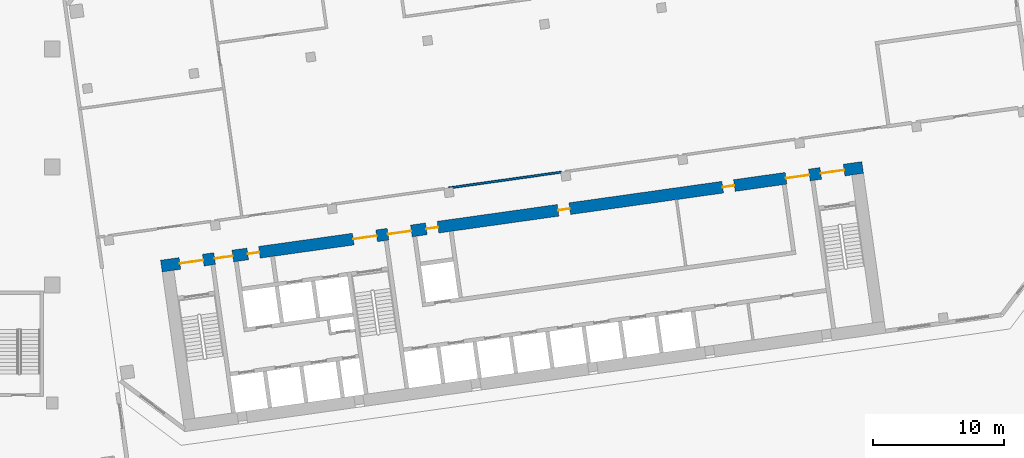
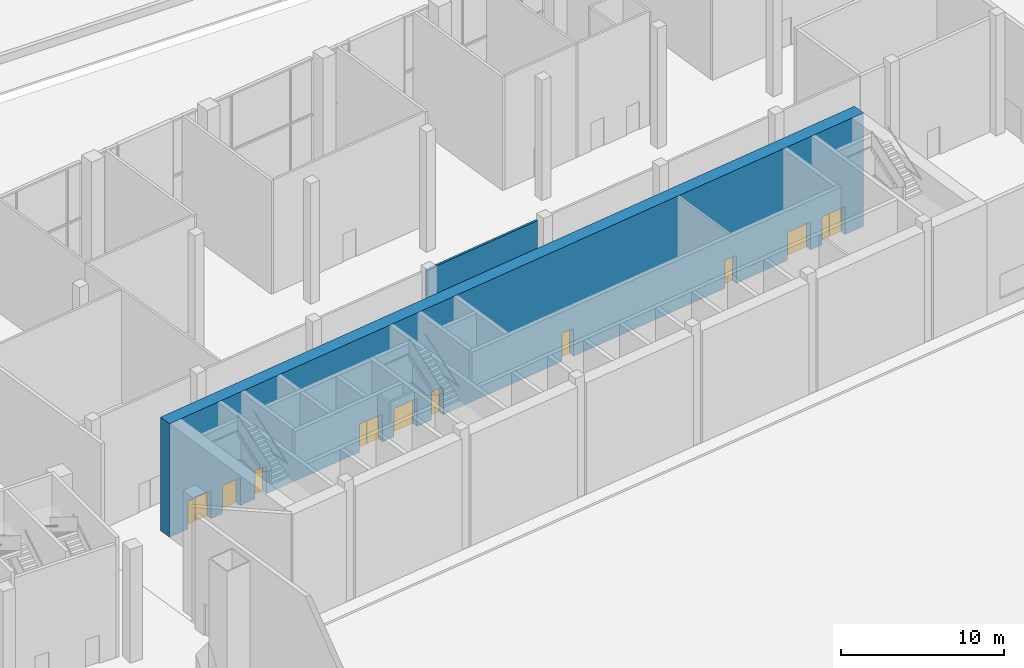
# One storey, part 25 of 34: 10 doors, 2 walls, 10 openings.
"""IFC4 building model written with IfcOpenShell, lengths in metres."""

import ifcopenshell
import ifcopenshell.guid

model = None  # the IFC model being written
_history = None  # IfcOwnerHistory: only IFC2X3 demands one
_inside = {}  # id of a spatial element -> (the spatial element, [elements in it])
_under = {}  # id of a project, library or spatial element -> (it, [spatial elements below it])
_declared = {}  # id of a project -> (the project, [libraries it declares])
_typed = {}  # id of a type object -> (the type object, [elements of that type])
_made_of = {}  # id of a material, layer set ... -> (it, [elements and type objects made of it])


def new_model(schema):
    """Start an empty IFC model of exactly this schema.

    Asked for "IFC4X3", IfcOpenShell would pick the latest addendum, in which some entities
    have other attributes; the version numbers below select the first issue.
    IFC2X3 requires an IfcOwnerHistory on every rooted entity: one is made here for all.
    """
    global model, _history
    if schema == "IFC4X3":
        model = ifcopenshell.file(schema_version=(4, 3, 0, 0))
    else:
        model = ifcopenshell.file(schema=schema)
    _inside.clear()
    _under.clear()
    _declared.clear()
    _typed.clear()
    _made_of.clear()
    _history = None
    if model.schema == "IFC2X3":
        org = make("IfcOrganization", Name="unknown")
        user = make(
            "IfcPersonAndOrganization",
            ThePerson=make("IfcPerson", FamilyName="unknown"),
            TheOrganization=org,
        )
        app = make(
            "IfcApplication",
            ApplicationDeveloper=org,
            Version="unknown",
            ApplicationFullName="unknown",
            ApplicationIdentifier="unknown",
        )
        _history = make(
            "IfcOwnerHistory",
            OwningUser=user,
            OwningApplication=app,
            ChangeAction="ADDED",
            CreationDate=0,
        )
    return model


def make(cls, **values):
    """One entity of the class cls with the attributes given. An attribute that is None is left unset."""
    return model.create_entity(
        cls, **{name: value for name, value in values.items() if value is not None}
    )


def rooted(cls, **values):
    """An entity with a GlobalId (a new one), such as an element, a storey or a relation."""
    return make(cls, GlobalId=ifcopenshell.guid.new(), OwnerHistory=_history, **values)


def si_unit(unit_type, name, prefix=None):
    """IfcSIUnit, for example si_unit("LENGTHUNIT", "METRE", prefix="MILLI")."""
    return make("IfcSIUnit", UnitType=unit_type, Prefix=prefix, Name=name)


def assignment(units):
    """IfcUnitAssignment: the units of a project."""
    return None if units is None else make("IfcUnitAssignment", Units=units)


def point(xyz):
    """IfcCartesianPoint."""
    return None if xyz is None else make("IfcCartesianPoint", Coordinates=xyz)


def direction(xyz):
    """IfcDirection."""
    return None if xyz is None else make("IfcDirection", DirectionRatios=xyz)


def frame(location, z_axis=None, x_axis=None):
    """IfcAxis2Placement3D, a coordinate frame: its origin and axes. An axis left out is left unset."""
    return make(
        "IfcAxis2Placement3D",
        Location=point(location),
        Axis=direction(z_axis),
        RefDirection=direction(x_axis),
    )


def frame_2d(location, x_axis=None):
    """IfcAxis2Placement2D, a coordinate frame in the plane: its origin and x axis."""
    return make(
        "IfcAxis2Placement2D", Location=point(location), RefDirection=direction(x_axis)
    )


def origin():
    """The frame at (0, 0, 0) with its axes left unset."""
    return frame((0.0, 0.0, 0.0))


def place(relative_to, where):
    """IfcLocalPlacement: puts the frame where relative to a parent placement (None: the world)."""
    return make(
        "IfcLocalPlacement", PlacementRelTo=relative_to, RelativePlacement=where
    )


def context(
    kind, dimensions, precision=None, world=None, true_north=None, identifier=None
):
    """IfcGeometricRepresentationContext, for example the 3D "Model" context."""
    return make(
        "IfcGeometricRepresentationContext",
        ContextIdentifier=identifier,
        ContextType=kind,
        CoordinateSpaceDimension=dimensions,
        Precision=precision,
        WorldCoordinateSystem=world,
        TrueNorth=true_north,
    )


def subcontext(parent, identifier, kind, view, scale=None):
    """IfcGeometricRepresentationSubContext, for example "Body" below "Model"."""
    return make(
        "IfcGeometricRepresentationSubContext",
        ContextIdentifier=identifier,
        ContextType=kind,
        ParentContext=parent,
        TargetScale=scale,
        TargetView=view,
    )


def project(units=None, contexts=None):
    """IfcProject with its units and contexts."""
    return rooted(
        "IfcProject",
        Name="project",
        RepresentationContexts=contexts,
        UnitsInContext=assignment(units),
    )


def spatial(cls, under=None, at=None, **own):
    """A site, building, storey or space (cls), placed at a placement, below another one or the project."""
    s = rooted(cls, ObjectPlacement=at, **own)
    if under is not None:
        _under.setdefault(under.id(), (under, []))[1].append(s)
    return s


def profile(cls, at=None, kind="AREA", **sizes):
    """A parametric profile (cls). Its sizes go by their IFC names, for example OverallWidth=200.0."""
    return make(cls, ProfileType=kind, Position=at, **sizes)


def rectangle(**sizes):
    """IfcRectangleProfileDef."""
    return profile("IfcRectangleProfileDef", **sizes)


def extrude(swept, where, along, depth):
    """IfcExtrudedAreaSolid: the profile swept, set in the frame where, extruded along a direction by depth."""
    return make(
        "IfcExtrudedAreaSolid",
        SweptArea=swept,
        Position=where,
        ExtrudedDirection=direction(along),
        Depth=depth,
    )


def shape(context_of_items, identifier, shape_type, items):
    """IfcShapeRepresentation: the items that make up one representation, for example the "Body"."""
    return make(
        "IfcShapeRepresentation",
        ContextOfItems=context_of_items,
        RepresentationIdentifier=identifier,
        RepresentationType=shape_type,
        Items=items,
    )


def material(Name=None, Category=None):
    """IfcMaterial."""
    return make("IfcMaterial", Name=Name, Category=Category)


def layer(
    of_material, thickness, ventilated=None, Name=None, Category=None, Priority=None
):
    """IfcMaterialLayer: one layer of a wall or slab, of a material (None: an air gap)."""
    return make(
        "IfcMaterialLayer",
        Material=of_material,
        LayerThickness=thickness,
        IsVentilated=ventilated,
        Name=Name,
        Category=Category,
        Priority=Priority,
    )


def layer_set(layers, Name=None):
    """IfcMaterialLayerSet."""
    return make("IfcMaterialLayerSet", MaterialLayers=layers, LayerSetName=Name)


def made_of(thing, what):
    """Note that an element or type object is made of a material, layer set ...; save() writes the relation."""
    if what is not None:
        _made_of.setdefault(what.id(), (what, []))[1].append(thing)
    return thing


def type_object(cls, material=None, **own):
    """A type object (cls), such as IfcWallType, which elements share."""
    return made_of(rooted(cls, **own), material)


def element(
    cls,
    number,
    at=None,
    inside=None,
    cuts=None,
    type_object=None,
    material=None,
    context=None,
    identifier="Body",
    shape_type=None,
    held_by="IfcProductDefinitionShape",
    body=None,
    shapes=None,
    **own,
):
    """One element of the class cls, such as IfcWall. Its Tag is "e" and its number.

    at: its placement. inside: the storey or other place that contains it. cuts: it is an
    opening in that element (IfcRelVoidsElement). A single representation is given by context,
    identifier, shape_type and body (its items); several are given by shapes. held_by: the class
    of the entity that holds the representations. save() writes the other relations.
    """
    e = rooted(cls, Tag="e%d" % number, ObjectPlacement=at, **own)
    if body is not None:
        shapes = [shape(context, identifier, shape_type, body)]
    if shapes is not None:
        e.Representation = make(held_by, Representations=shapes)
    if inside is not None:
        _inside.setdefault(inside.id(), (inside, []))[1].append(e)
    if cuts is not None:
        rooted(
            "IfcRelVoidsElement", RelatingBuildingElement=cuts, RelatedOpeningElement=e
        )
    if type_object is not None:
        _typed.setdefault(type_object.id(), (type_object, []))[1].append(e)
    return made_of(e, material)


def fill(opening, filler):
    """IfcRelFillsElement: the door or window that sits in an opening."""
    return rooted(
        "IfcRelFillsElement",
        RelatingOpeningElement=opening,
        RelatedBuildingElement=filler,
    )


def aggregate(whole, parts):
    """IfcRelAggregates: a whole, such as a stair, and the parts it consists of."""
    return rooted("IfcRelAggregates", RelatingObject=whole, RelatedObjects=parts)


def save(model, path):
    """Write the relations noted so far, then the file.

    IfcRelAggregates (storeys below a building ...), IfcRelContainedInSpatialStructure (elements
    in a storey), IfcRelDefinesByType, IfcRelAssociatesMaterial and IfcRelDeclares: one each for
    every whole, place, type object, material and project.
    """
    for whole, parts in _under.values():
        aggregate(whole, parts)
    for where, things in _inside.values():
        rooted(
            "IfcRelContainedInSpatialStructure",
            RelatedElements=things,
            RelatingStructure=where,
        )
    for kind, things in _typed.values():
        rooted("IfcRelDefinesByType", RelatedObjects=things, RelatingType=kind)
    for what, things in _made_of.values():
        rooted("IfcRelAssociatesMaterial", RelatedObjects=things, RelatingMaterial=what)
    for by, libraries in _declared.values():
        rooted("IfcRelDeclares", RelatingContext=by, RelatedDefinitions=libraries)
    model.write(path)


model = new_model("IFC4")

# Units and contexts
model_context = context("Model", 3, precision=1e-05, world=origin(), true_north=direction((0.0, 1.0)))
body_context = subcontext(model_context, "Body", "Model", "MODEL_VIEW")
ifc_project = project(units=[si_unit("LENGTHUNIT", "METRE"), si_unit("AREAUNIT", "SQUARE_METRE"), si_unit("VOLUMEUNIT", "CUBIC_METRE"), si_unit("PLANEANGLEUNIT", "RADIAN"), si_unit("MASSUNIT", "GRAM", prefix="KILO")], contexts=[model_context])

# Site, building, storey
site_placement = place(None, origin())
site = spatial("IfcSite", under=ifc_project, at=site_placement, CompositionType="ELEMENT")
building_placement = place(site_placement, origin())
building = spatial("IfcBuilding", under=site, at=building_placement, Name="Mirante Cascada Hotel Towers", CompositionType="ELEMENT")
storey_placement = place(building_placement, origin())
storey = spatial("IfcBuildingStorey", under=building, at=storey_placement, Name="L00", CompositionType="ELEMENT", Elevation=0.0)

# Wall
ifc_material_1 = material(Name="Masonry block", Category="masonry")
ifc_layer_1 = layer(ifc_material_1, 0.15)
ifc_layer_set_1 = layer_set([ifc_layer_1], Name="Exit passage wall 150 block EI 120")
wall_type_1 = type_object("IfcWallType", Name="Exit passage wall 150 block EI 120", PredefinedType="PARTITIONING", material=ifc_layer_set_1)
wall_1_placement = place(storey_placement, frame((57.2347, -1.6058, 0.0), z_axis=(0.0, 0.0, 1.0), x_axis=(0.9902682, 0.139172, 0.0)))
element("IfcWall", 1, at=wall_1_placement, inside=storey, type_object=wall_type_1, Name="Exit passage wall T2 L00", PredefinedType="PARTITIONING", context=body_context, shape_type="SweptSolid", body=[
    extrude(rectangle(XDim=8.6713, YDim=0.15, at=frame_2d((4.3356, 0.0))), origin(), (0.0, 0.0, 1.0), 8.5),
])

# Wall, openings, doors
ifc_material_2 = material(Name="Concrete C50/60", Category="concrete")
ifc_layer_2 = layer(ifc_material_2, 0.9)
ifc_layer_set_2 = layer_set([ifc_layer_2], Name="RC core wall 900 C50/60")
wall_type_2 = type_object("IfcWallType", Name="RC core wall 900 C50/60", PredefinedType="SHEAR", material=ifc_layer_set_2)
wall_2_placement = place(storey_placement, frame((35.326, -7.5629, 0.0), z_axis=(0.0, 0.0, 1.0), x_axis=(0.9902679, 0.139174, 0.0)))
wall_2 = element("IfcWall", 2, at=wall_2_placement, inside=storey, type_object=wall_type_2, Name="Core wall T2:L00:2", PredefinedType="SHEAR", context=body_context, shape_type="SweptSolid", body=[
    extrude(rectangle(XDim=54.0, YDim=0.9, at=frame_2d((27.0, 0.0))), origin(), (0.0, 0.0, 1.0), 8.5),
])
opening_1_placement = place(wall_2_placement, frame((1.425, 0.0, 0.0)))
opening_1 = element("IfcOpeningElement", 3, at=opening_1_placement, cuts=wall_2, Name="Opening D2-00-C17", PredefinedType="OPENING", context=body_context, shape_type="SweptSolid", body=[
    extrude(rectangle(XDim=1.8, YDim=2.1, at=frame_2d((0.9, 1.05))), frame((0.0, 0.45, 0.0), z_axis=(0.0, -1.0, 0.0), x_axis=(1.0, 0.0, 0.0)), (0.0, 0.0, 1.0), 0.9),
])
opening_2_placement = place(wall_2_placement, frame((14.775, 0.0, 0.0)))
opening_2 = element("IfcOpeningElement", 4, at=opening_2_placement, cuts=wall_2, Name="Opening D2-00-C19", PredefinedType="OPENING", context=body_context, shape_type="SweptSolid", body=[
    extrude(rectangle(XDim=1.8, YDim=2.1, at=frame_2d((0.9, 1.05))), frame((0.0, 0.45, 0.0), z_axis=(0.0, -1.0, 0.0), x_axis=(1.0, 0.0, 0.0)), (0.0, 0.0, 1.0), 0.9),
])
opening_3_placement = place(wall_2_placement, frame((50.775, 0.0, 0.0)))
opening_3 = element("IfcOpeningElement", 5, at=opening_3_placement, cuts=wall_2, Name="Opening D2-00-C21", PredefinedType="OPENING", context=body_context, shape_type="SweptSolid", body=[
    extrude(rectangle(XDim=1.8, YDim=2.1, at=frame_2d((0.9, 1.05))), frame((0.0, 0.45, 0.0), z_axis=(0.0, -1.0, 0.0), x_axis=(1.0, 0.0, 0.0)), (0.0, 0.0, 1.0), 0.9),
])
opening_4_placement = place(wall_2_placement, frame((4.1, 0.0, 0.0)))
opening_4 = element("IfcOpeningElement", 6, at=opening_4_placement, cuts=wall_2, Name="Opening D2-00-C22", PredefinedType="OPENING", context=body_context, shape_type="SweptSolid", body=[
    extrude(rectangle(XDim=1.4, YDim=2.1, at=frame_2d((0.7, 1.05))), frame((0.0, 0.45, 0.0), z_axis=(0.0, -1.0, 0.0), x_axis=(1.0, 0.0, 0.0)), (0.0, 0.0, 1.0), 0.9),
])
opening_5_placement = place(wall_2_placement, frame((17.45, 0.0, 0.0)))
opening_5 = element("IfcOpeningElement", 7, at=opening_5_placement, cuts=wall_2, Name="Opening D2-00-C23", PredefinedType="OPENING", context=body_context, shape_type="SweptSolid", body=[
    extrude(rectangle(XDim=1.8, YDim=2.1, at=frame_2d((0.9, 1.05))), frame((0.0, 0.45, 0.0), z_axis=(0.0, -1.0, 0.0), x_axis=(1.0, 0.0, 0.0)), (0.0, 0.0, 1.0), 0.9),
])
opening_6_placement = place(wall_2_placement, frame((48.1, 0.0, 0.0)))
opening_6 = element("IfcOpeningElement", 8, at=opening_6_placement, cuts=wall_2, Name="Opening D2-00-C24", PredefinedType="OPENING", context=body_context, shape_type="SweptSolid", body=[
    extrude(rectangle(XDim=1.8, YDim=2.1, at=frame_2d((0.9, 1.05))), frame((0.0, 0.45, 0.0), z_axis=(0.0, -1.0, 0.0), x_axis=(1.0, 0.0, 0.0)), (0.0, 0.0, 1.0), 0.9),
])
opening_7_placement = place(wall_2_placement, frame((6.65, 0.0, 0.0)))
opening_7 = element("IfcOpeningElement", 9, at=opening_7_placement, cuts=wall_2, Name="Opening D2-00-C27", PredefinedType="OPENING", context=body_context, shape_type="SweptSolid", body=[
    extrude(rectangle(XDim=0.9, YDim=2.1, at=frame_2d((0.45, 1.05))), frame((0.0, 0.45, 0.0), z_axis=(0.0, -1.0, 0.0), x_axis=(1.0, 0.0, 0.0)), (0.0, 0.0, 1.0), 0.9),
])
opening_8_placement = place(wall_2_placement, frame((20.4, 0.0, 0.0)))
opening_8 = element("IfcOpeningElement", 10, at=opening_8_placement, cuts=wall_2, Name="Opening D2-00-C30", PredefinedType="OPENING", context=body_context, shape_type="SweptSolid", body=[
    extrude(rectangle(XDim=0.9, YDim=2.1, at=frame_2d((0.45, 1.05))), frame((0.0, 0.45, 0.0), z_axis=(0.0, -1.0, 0.0), x_axis=(1.0, 0.0, 0.0)), (0.0, 0.0, 1.0), 0.9),
])
opening_9_placement = place(wall_2_placement, frame((30.55, 0.0, 0.0)))
opening_9 = element("IfcOpeningElement", 11, at=opening_9_placement, cuts=wall_2, Name="Opening D2-00-C31", PredefinedType="OPENING", context=body_context, shape_type="SweptSolid", body=[
    extrude(rectangle(XDim=0.9, YDim=2.1, at=frame_2d((0.45, 1.05))), frame((0.0, 0.45, 0.0), z_axis=(0.0, -1.0, 0.0), x_axis=(1.0, 0.0, 0.0)), (0.0, 0.0, 1.0), 0.9),
])
opening_10_placement = place(wall_2_placement, frame((43.225, 0.0, 0.0)))
opening_10 = element("IfcOpeningElement", 12, at=opening_10_placement, cuts=wall_2, Name="Opening D2-00-C32", PredefinedType="OPENING", context=body_context, shape_type="SweptSolid", body=[
    extrude(rectangle(XDim=0.9, YDim=2.1, at=frame_2d((0.45, 1.05))), frame((0.0, 0.45, 0.0), z_axis=(0.0, -1.0, 0.0), x_axis=(1.0, 0.0, 0.0)), (0.0, 0.0, 1.0), 0.9),
])
ifc_material_3 = material(Name="Hollow metal fire door leaf")
door_type_1 = type_object("IfcDoorType", Name="Double fire door 1400x2100 FD60", OperationType="DOUBLE_DOOR_SINGLE_SWING", PredefinedType="DOOR", material=ifc_material_3)
door_1_placement = place(opening_4_placement, origin())
door_1 = element("IfcDoor", 13, at=door_1_placement, inside=storey, type_object=door_type_1, Name="Exit door to gallery T2 L00 22", OperationType="DOUBLE_DOOR_SINGLE_SWING", OverallHeight=2.1, OverallWidth=1.4, PredefinedType="DOOR", context=body_context, shape_type="SweptSolid", body=[
    extrude(rectangle(XDim=0.695, YDim=2.1, at=frame_2d((0.3475, 1.05))), frame((0.0, 0.025, 0.0), z_axis=(0.0, -1.0, 0.0), x_axis=(1.0, 0.0, 0.0)), (0.0, 0.0, 1.0), 0.05),
    extrude(rectangle(XDim=0.695, YDim=2.1, at=frame_2d((1.0525, 1.05))), frame((0.0, 0.025, 0.0), z_axis=(0.0, -1.0, 0.0), x_axis=(1.0, 0.0, 0.0)), (0.0, 0.0, 1.0), 0.05),
])
fill(opening_4, door_1)
ifc_material_4 = material(Name="Hollow metal fire door leaf")
door_type_2 = type_object("IfcDoorType", Name="Double fire door 1800x2100 FD60", OperationType="DOUBLE_DOOR_SINGLE_SWING", PredefinedType="DOOR", material=ifc_material_4)
door_2_placement = place(opening_1_placement, frame((1.8, 0.0, 0.0), z_axis=(0.0, 0.0, 1.0), x_axis=(-1.0, 0.0, 0.0)))
door_2 = element("IfcDoor", 14, at=door_2_placement, inside=storey, type_object=door_type_2, Name="Exit door to gallery T2 L00 17", OperationType="DOUBLE_DOOR_SINGLE_SWING", OverallHeight=2.1, OverallWidth=1.8, PredefinedType="DOOR", context=body_context, shape_type="SweptSolid", body=[
    extrude(rectangle(XDim=0.895, YDim=2.1, at=frame_2d((0.4475, 1.05))), frame((0.0, 0.025, 0.0), z_axis=(0.0, -1.0, 0.0), x_axis=(1.0, 0.0, 0.0)), (0.0, 0.0, 1.0), 0.05),
    extrude(rectangle(XDim=0.895, YDim=2.1, at=frame_2d((1.3525, 1.05))), frame((0.0, 0.025, 0.0), z_axis=(0.0, -1.0, 0.0), x_axis=(1.0, 0.0, 0.0)), (0.0, 0.0, 1.0), 0.05),
])
fill(opening_1, door_2)
door_3_placement = place(opening_2_placement, frame((1.8, 0.0, 0.0), z_axis=(0.0, 0.0, 1.0), x_axis=(-1.0, 0.0, 0.0)))
door_3 = element("IfcDoor", 15, at=door_3_placement, inside=storey, type_object=door_type_2, Name="Exit door to gallery T2 L00 19", OperationType="DOUBLE_DOOR_SINGLE_SWING", OverallHeight=2.1, OverallWidth=1.8, PredefinedType="DOOR", context=body_context, shape_type="SweptSolid", body=[
    extrude(rectangle(XDim=0.895, YDim=2.1, at=frame_2d((0.4475, 1.05))), frame((0.0, 0.025, 0.0), z_axis=(0.0, -1.0, 0.0), x_axis=(1.0, 0.0, 0.0)), (0.0, 0.0, 1.0), 0.05),
    extrude(rectangle(XDim=0.895, YDim=2.1, at=frame_2d((1.3525, 1.05))), frame((0.0, 0.025, 0.0), z_axis=(0.0, -1.0, 0.0), x_axis=(1.0, 0.0, 0.0)), (0.0, 0.0, 1.0), 0.05),
])
fill(opening_2, door_3)
door_4_placement = place(opening_3_placement, frame((1.8, 0.0, 0.0), z_axis=(0.0, 0.0, 1.0), x_axis=(-1.0, 0.0, 0.0)))
door_4 = element("IfcDoor", 16, at=door_4_placement, inside=storey, type_object=door_type_2, Name="Exit door to gallery T2 L00 21", OperationType="DOUBLE_DOOR_SINGLE_SWING", OverallHeight=2.1, OverallWidth=1.8, PredefinedType="DOOR", context=body_context, shape_type="SweptSolid", body=[
    extrude(rectangle(XDim=0.895, YDim=2.1, at=frame_2d((0.4475, 1.05))), frame((0.0, 0.025, 0.0), z_axis=(0.0, -1.0, 0.0), x_axis=(1.0, 0.0, 0.0)), (0.0, 0.0, 1.0), 0.05),
    extrude(rectangle(XDim=0.895, YDim=2.1, at=frame_2d((1.3525, 1.05))), frame((0.0, 0.025, 0.0), z_axis=(0.0, -1.0, 0.0), x_axis=(1.0, 0.0, 0.0)), (0.0, 0.0, 1.0), 0.05),
])
fill(opening_3, door_4)
door_5_placement = place(opening_5_placement, origin())
door_5 = element("IfcDoor", 17, at=door_5_placement, inside=storey, type_object=door_type_2, Name="Exit door to gallery T2 L00 23", OperationType="DOUBLE_DOOR_SINGLE_SWING", OverallHeight=2.1, OverallWidth=1.8, PredefinedType="DOOR", context=body_context, shape_type="SweptSolid", body=[
    extrude(rectangle(XDim=0.895, YDim=2.1, at=frame_2d((0.4475, 1.05))), frame((0.0, 0.025, 0.0), z_axis=(0.0, -1.0, 0.0), x_axis=(1.0, 0.0, 0.0)), (0.0, 0.0, 1.0), 0.05),
    extrude(rectangle(XDim=0.895, YDim=2.1, at=frame_2d((1.3525, 1.05))), frame((0.0, 0.025, 0.0), z_axis=(0.0, -1.0, 0.0), x_axis=(1.0, 0.0, 0.0)), (0.0, 0.0, 1.0), 0.05),
])
fill(opening_5, door_5)
door_6_placement = place(opening_6_placement, origin())
door_6 = element("IfcDoor", 18, at=door_6_placement, inside=storey, type_object=door_type_2, Name="Exit door to gallery T2 L00 24", OperationType="DOUBLE_DOOR_SINGLE_SWING", OverallHeight=2.1, OverallWidth=1.8, PredefinedType="DOOR", context=body_context, shape_type="SweptSolid", body=[
    extrude(rectangle(XDim=0.895, YDim=2.1, at=frame_2d((0.4475, 1.05))), frame((0.0, 0.025, 0.0), z_axis=(0.0, -1.0, 0.0), x_axis=(1.0, 0.0, 0.0)), (0.0, 0.0, 1.0), 0.05),
    extrude(rectangle(XDim=0.895, YDim=2.1, at=frame_2d((1.3525, 1.05))), frame((0.0, 0.025, 0.0), z_axis=(0.0, -1.0, 0.0), x_axis=(1.0, 0.0, 0.0)), (0.0, 0.0, 1.0), 0.05),
])
fill(opening_6, door_6)
ifc_material_5 = material(Name="Hollow metal fire door leaf")
door_type_3 = type_object("IfcDoorType", Name="Fire door 900x2100 FD60", OperationType="NOTDEFINED", PredefinedType="DOOR", material=ifc_material_5)
door_7_placement = place(opening_7_placement, frame((0.9, 0.0, 0.0), z_axis=(0.0, 0.0, 1.0), x_axis=(-1.0, 0.0, 0.0)))
door_7 = element("IfcDoor", 19, at=door_7_placement, inside=storey, type_object=door_type_3, Name="Room door T2 L00 27", OperationType="SINGLE_SWING_LEFT", OverallHeight=2.1, OverallWidth=0.9, PredefinedType="DOOR", context=body_context, shape_type="SweptSolid", body=[
    extrude(rectangle(XDim=0.9, YDim=2.1, at=frame_2d((0.45, 1.05))), frame((0.0, 0.025, 0.0), z_axis=(0.0, -1.0, 0.0), x_axis=(1.0, 0.0, 0.0)), (0.0, 0.0, 1.0), 0.05),
])
fill(opening_7, door_7)
door_8_placement = place(opening_8_placement, frame((0.9, 0.0, 0.0), z_axis=(0.0, 0.0, 1.0), x_axis=(-1.0, 0.0, 0.0)))
door_8 = element("IfcDoor", 20, at=door_8_placement, inside=storey, type_object=door_type_3, Name="Room door T2 L00 30", OperationType="SINGLE_SWING_LEFT", OverallHeight=2.1, OverallWidth=0.9, PredefinedType="DOOR", context=body_context, shape_type="SweptSolid", body=[
    extrude(rectangle(XDim=0.9, YDim=2.1, at=frame_2d((0.45, 1.05))), frame((0.0, 0.025, 0.0), z_axis=(0.0, -1.0, 0.0), x_axis=(1.0, 0.0, 0.0)), (0.0, 0.0, 1.0), 0.05),
])
fill(opening_8, door_8)
door_9_placement = place(opening_9_placement, frame((0.9, 0.0, 0.0), z_axis=(0.0, 0.0, 1.0), x_axis=(-1.0, 0.0, 0.0)))
door_9 = element("IfcDoor", 21, at=door_9_placement, inside=storey, type_object=door_type_3, Name="Room door T2 L00 31", OperationType="SINGLE_SWING_RIGHT", OverallHeight=2.1, OverallWidth=0.9, PredefinedType="DOOR", context=body_context, shape_type="SweptSolid", body=[
    extrude(rectangle(XDim=0.9, YDim=2.1, at=frame_2d((0.45, 1.05))), frame((0.0, 0.025, 0.0), z_axis=(0.0, -1.0, 0.0), x_axis=(1.0, 0.0, 0.0)), (0.0, 0.0, 1.0), 0.05),
])
fill(opening_9, door_9)
door_10_placement = place(opening_10_placement, frame((0.9, 0.0, 0.0), z_axis=(0.0, 0.0, 1.0), x_axis=(-1.0, 0.0, 0.0)))
door_10 = element("IfcDoor", 22, at=door_10_placement, inside=storey, type_object=door_type_3, Name="Room door T2 L00 32", OperationType="SINGLE_SWING_RIGHT", OverallHeight=2.1, OverallWidth=0.9, PredefinedType="DOOR", context=body_context, shape_type="SweptSolid", body=[
    extrude(rectangle(XDim=0.9, YDim=2.1, at=frame_2d((0.45, 1.05))), frame((0.0, 0.025, 0.0), z_axis=(0.0, -1.0, 0.0), x_axis=(1.0, 0.0, 0.0)), (0.0, 0.0, 1.0), 0.05),
])
fill(opening_10, door_10)

save(model, "model.ifc")
